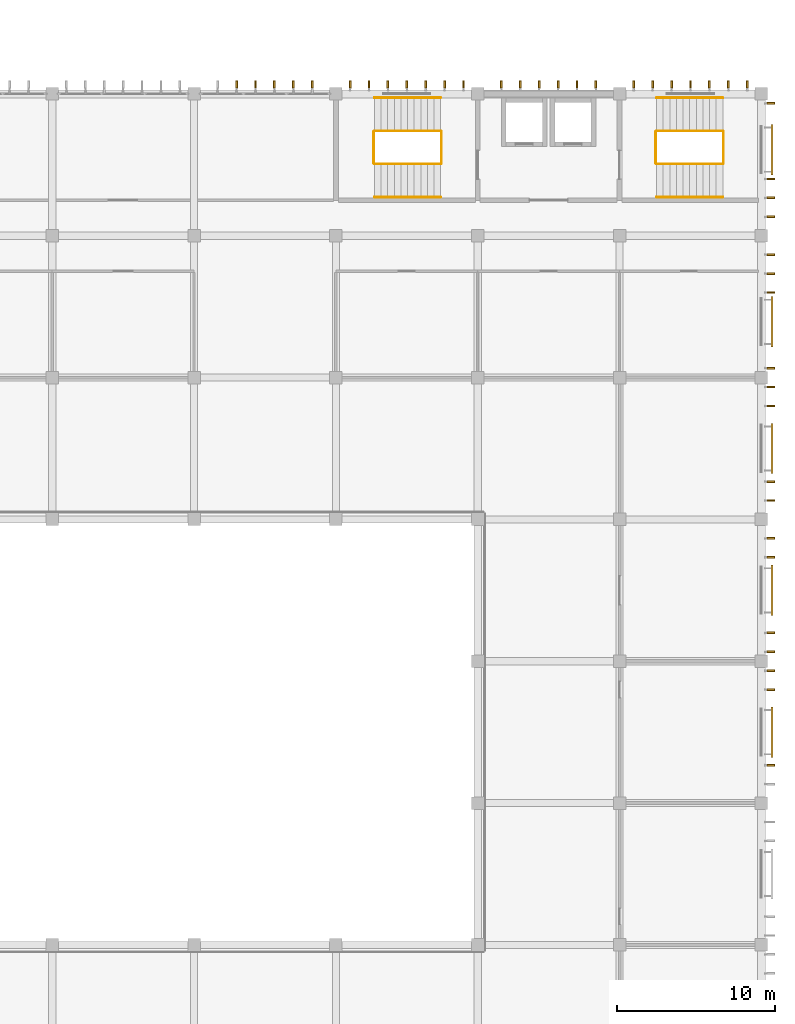
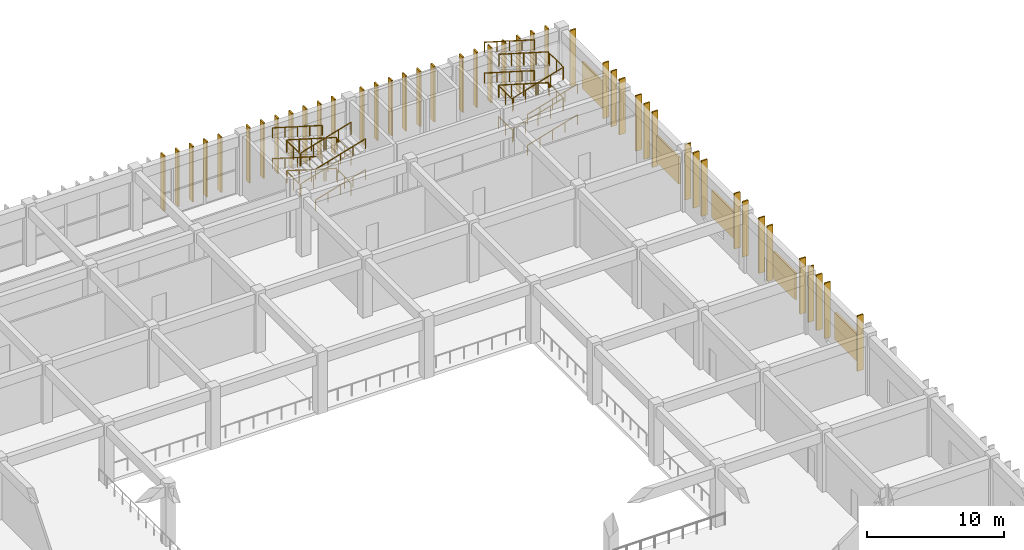
# One storey, part 433 of 437: 44 coverings, 24 railings, 5 shading devices.
"""IFC4 building model written with IfcOpenShell, lengths in metres."""

from ifc_helpers import new_model, si_unit, direction, frame, origin, origin_2d, place, context, subcontext, project, spatial, rectangle, circle, extrude, material, layer, layer_set, constituent, constituent_set, type_object, element, save


model = new_model("IFC4")

# Units and contexts
model_context = context("Model", 3, precision=1e-05, world=origin(), true_north=direction((0.0, 1.0)))
body_context = subcontext(model_context, "Body", "Model", "MODEL_VIEW")
ifc_project = project(units=[si_unit("LENGTHUNIT", "METRE"), si_unit("AREAUNIT", "SQUARE_METRE"), si_unit("VOLUMEUNIT", "CUBIC_METRE"), si_unit("PLANEANGLEUNIT", "RADIAN"), si_unit("MASSUNIT", "GRAM", prefix="KILO")], contexts=[model_context])

# Site, building, storey
site_placement = place(None, origin())
site = spatial("IfcSite", under=ifc_project, at=site_placement, CompositionType="ELEMENT")
building_placement = place(site_placement, origin())
building = spatial("IfcBuilding", under=site, at=building_placement, Name="Opaline Strait Convention Centre", CompositionType="ELEMENT")
storey_placement = place(building_placement, frame((0.0, 0.0, 11.5)))
storey = spatial("IfcBuildingStorey", under=building, at=storey_placement, Name="L02", CompositionType="ELEMENT", Elevation=11.5)

# Railings
ifc_material_1 = material(Name="Steel Q235B", Category="steel")
ifc_constituent_1 = constituent(ifc_material_1, Name="Frame")
ifc_material_2 = material(Name="Safety glass, bonded interlayer", Category="glass")
ifc_constituent_2 = constituent(ifc_material_2, Name="Infill")
ifc_constituent_set = constituent_set(constituents=[ifc_constituent_1, ifc_constituent_2], Name="Steel Q235B, Safety glass, bonded interlayer")
railing_type_1 = type_object("IfcRailingType", Name="Guard 1100 steel and glass", PredefinedType="GUARDRAIL", material=ifc_constituent_set)
railing_1_placement = place(storey_placement, frame((353.349853515625, 175.5498046875, 0.125)))
element("IfcRailing", 1, at=railing_1_placement, inside=storey, type_object=railing_type_1, Name="L02 S7 stair guard 1", PredefinedType="GUARDRAIL", context=body_context, shape_type="SweptSolid", body=[
    extrude(circle(Radius=0.02392578125, at=origin_2d()), frame((0.0, 0.0, 1.076171875), z_axis=(0.958451171748, 0.0, 0.285256641246), x_axis=(0.0, 1.0, 0.0)), (0.0, 0.0, 1.0), 4.382080078125),
    extrude(circle(Radius=0.02099609375, at=origin_2d()), origin(), (0.0, 0.0, 1.0), 1.052001953125),
    extrude(circle(Radius=0.02099609375, at=origin_2d()), frame((1.050048828125, 0.0, 0.3125)), (0.0, 0.0, 1.0), 1.052001953125),
    extrude(circle(Radius=0.02099609375, at=origin_2d()), frame((2.10009765625, 0.0, 0.625)), (0.0, 0.0, 1.0), 1.052001953125),
    extrude(circle(Radius=0.02099609375, at=origin_2d()), frame((3.14990234375, 0.0, 0.9375)), (0.0, 0.0, 1.0), 1.052001953125),
    extrude(circle(Radius=0.02099609375, at=origin_2d()), frame((4.199951171875, 0.0, 1.25)), (0.0, 0.0, 1.0), 1.052001953125),
])
railing_2_placement = place(storey_placement, frame((357.599853515625, 175.599853515625, 1.375)))
element("IfcRailing", 2, at=railing_2_placement, inside=storey, type_object=railing_type_1, Name="L02 S7 stair guard 2", PredefinedType="GUARDRAIL", context=body_context, shape_type="SweptSolid", body=[
    extrude(circle(Radius=0.02392578125, at=origin_2d()), frame((0.0, 0.0, 1.076171875), z_axis=(0.0, 1.0, 0.0), x_axis=(-1.0, 0.0, 0.0)), (0.0, 0.0, 1.0), 2.0),
    extrude(circle(Radius=0.02099609375, at=origin_2d()), origin(), (0.0, 0.0, 1.0), 1.052001953125),
    extrude(circle(Radius=0.02099609375, at=origin_2d()), frame((0.0, 1.0, 0.0)), (0.0, 0.0, 1.0), 1.052001953125),
    extrude(circle(Radius=0.02099609375, at=origin_2d()), frame((0.0, 2.0, 0.0)), (0.0, 0.0, 1.0), 1.052001953125),
])
railing_3_placement = place(storey_placement, frame((357.5498046875, 177.64990234375, 1.5)))
element("IfcRailing", 3, at=railing_3_placement, inside=storey, type_object=railing_type_1, Name="L02 S7 stair guard 3", PredefinedType="GUARDRAIL", context=body_context, shape_type="SweptSolid", body=[
    extrude(circle(Radius=0.02392578125, at=origin_2d()), frame((0.0, 0.0, 1.076171875), z_axis=(-0.958451171748, 0.0, 0.285256641246), x_axis=(0.0, -1.0, 0.0)), (0.0, 0.0, 1.0), 4.382080078125),
    extrude(circle(Radius=0.02099609375, at=origin_2d()), origin(), (0.0, 0.0, 1.0), 1.052001953125),
    extrude(circle(Radius=0.02099609375, at=origin_2d()), frame((-1.050048828125, 0.0, 0.3125)), (0.0, 0.0, 1.0), 1.052001953125),
    extrude(circle(Radius=0.02099609375, at=origin_2d()), frame((-2.10009765625, 0.0, 0.625)), (0.0, 0.0, 1.0), 1.052001953125),
    extrude(circle(Radius=0.02099609375, at=origin_2d()), frame((-3.14990234375, 0.0, 0.9375)), (0.0, 0.0, 1.0), 1.052001953125),
    extrude(circle(Radius=0.02099609375, at=origin_2d()), frame((-4.199951171875, 0.0, 1.25)), (0.0, 0.0, 1.0), 1.052001953125),
])
railing_4_placement = place(storey_placement, frame((353.2998046875, 175.599853515625, 2.75)))
element("IfcRailing", 4, at=railing_4_placement, inside=storey, type_object=railing_type_1, Name="L02 S7 stair guard 4", PredefinedType="GUARDRAIL", context=body_context, shape_type="SweptSolid", body=[
    extrude(circle(Radius=0.02392578125, at=origin_2d()), frame((0.0, 0.0, 1.076171875), z_axis=(0.0, 1.0, 0.0), x_axis=(-1.0, 0.0, 0.0)), (0.0, 0.0, 1.0), 2.0),
    extrude(circle(Radius=0.02099609375, at=origin_2d()), origin(), (0.0, 0.0, 1.0), 1.052001953125),
    extrude(circle(Radius=0.02099609375, at=origin_2d()), frame((0.0, 1.0, 0.0)), (0.0, 0.0, 1.0), 1.052001953125),
    extrude(circle(Radius=0.02099609375, at=origin_2d()), frame((0.0, 2.0, 0.0)), (0.0, 0.0, 1.0), 1.052001953125),
])
railing_5_placement = place(storey_placement, frame((353.349853515625, 175.5498046875, 2.875)))
element("IfcRailing", 5, at=railing_5_placement, inside=storey, type_object=railing_type_1, Name="L02 S7 stair guard 5", PredefinedType="GUARDRAIL", context=body_context, shape_type="SweptSolid", body=[
    extrude(circle(Radius=0.02392578125, at=origin_2d()), frame((0.0, 0.0, 1.076171875), z_axis=(0.958451171748, 0.0, 0.285256641246), x_axis=(0.0, 1.0, 0.0)), (0.0, 0.0, 1.0), 4.382080078125),
    extrude(circle(Radius=0.02099609375, at=origin_2d()), origin(), (0.0, 0.0, 1.0), 1.052001953125),
    extrude(circle(Radius=0.02099609375, at=origin_2d()), frame((1.050048828125, 0.0, 0.3125)), (0.0, 0.0, 1.0), 1.052001953125),
    extrude(circle(Radius=0.02099609375, at=origin_2d()), frame((2.10009765625, 0.0, 0.625)), (0.0, 0.0, 1.0), 1.052001953125),
    extrude(circle(Radius=0.02099609375, at=origin_2d()), frame((3.14990234375, 0.0, 0.9375)), (0.0, 0.0, 1.0), 1.052001953125),
    extrude(circle(Radius=0.02099609375, at=origin_2d()), frame((4.199951171875, 0.0, 1.25)), (0.0, 0.0, 1.0), 1.052001953125),
])
railing_6_placement = place(storey_placement, frame((357.599853515625, 175.599853515625, 4.125)))
element("IfcRailing", 6, at=railing_6_placement, inside=storey, type_object=railing_type_1, Name="L02 S7 stair guard 6", PredefinedType="GUARDRAIL", context=body_context, shape_type="SweptSolid", body=[
    extrude(circle(Radius=0.02392578125, at=origin_2d()), frame((0.0, 0.0, 1.076171875), z_axis=(0.0, 1.0, 0.0), x_axis=(-1.0, 0.0, 0.0)), (0.0, 0.0, 1.0), 2.0),
    extrude(circle(Radius=0.02099609375, at=origin_2d()), origin(), (0.0, 0.0, 1.0), 1.052001953125),
    extrude(circle(Radius=0.02099609375, at=origin_2d()), frame((0.0, 1.0, 0.0)), (0.0, 0.0, 1.0), 1.052001953125),
    extrude(circle(Radius=0.02099609375, at=origin_2d()), frame((0.0, 2.0, 0.0)), (0.0, 0.0, 1.0), 1.052001953125),
])
railing_7_placement = place(storey_placement, frame((357.5498046875, 177.64990234375, 4.25)))
element("IfcRailing", 7, at=railing_7_placement, inside=storey, type_object=railing_type_1, Name="L02 S7 stair guard 7", PredefinedType="GUARDRAIL", context=body_context, shape_type="SweptSolid", body=[
    extrude(circle(Radius=0.02392578125, at=origin_2d()), frame((0.0, 0.0, 1.076171875), z_axis=(-0.958451171748, 0.0, 0.285256641246), x_axis=(0.0, -1.0, 0.0)), (0.0, 0.0, 1.0), 4.382080078125),
    extrude(circle(Radius=0.02099609375, at=origin_2d()), origin(), (0.0, 0.0, 1.0), 1.052001953125),
    extrude(circle(Radius=0.02099609375, at=origin_2d()), frame((-1.050048828125, 0.0, 0.3125)), (0.0, 0.0, 1.0), 1.052001953125),
    extrude(circle(Radius=0.02099609375, at=origin_2d()), frame((-2.10009765625, 0.0, 0.625)), (0.0, 0.0, 1.0), 1.052001953125),
    extrude(circle(Radius=0.02099609375, at=origin_2d()), frame((-3.14990234375, 0.0, 0.9375)), (0.0, 0.0, 1.0), 1.052001953125),
    extrude(circle(Radius=0.02099609375, at=origin_2d()), frame((-4.199951171875, 0.0, 1.25)), (0.0, 0.0, 1.0), 1.052001953125),
])
railing_8_placement = place(storey_placement, frame((353.2998046875, 175.599853515625, 0.0)))
element("IfcRailing", 8, at=railing_8_placement, inside=storey, type_object=railing_type_1, Name="L02 S7 stair guard 8", PredefinedType="GUARDRAIL", context=body_context, shape_type="SweptSolid", body=[
    extrude(circle(Radius=0.02392578125, at=origin_2d()), frame((0.0, 0.0, 1.076171875), z_axis=(0.0, 1.0, 0.0), x_axis=(-1.0, 0.0, 0.0)), (0.0, 0.0, 1.0), 2.0),
    extrude(circle(Radius=0.02099609375, at=origin_2d()), origin(), (0.0, 0.0, 1.0), 1.052001953125),
    extrude(circle(Radius=0.02099609375, at=origin_2d()), frame((0.0, 1.0, 0.0)), (0.0, 0.0, 1.0), 1.052001953125),
    extrude(circle(Radius=0.02099609375, at=origin_2d()), frame((0.0, 2.0, 0.0)), (0.0, 0.0, 1.0), 1.052001953125),
])
railing_9_placement = place(storey_placement, frame((339.650146484375, 177.650146484375, 0.125)))
element("IfcRailing", 9, at=railing_9_placement, inside=storey, type_object=railing_type_1, Name="L02 S8 stair guard 1", PredefinedType="GUARDRAIL", context=body_context, shape_type="SweptSolid", body=[
    extrude(circle(Radius=0.02392578125, at=origin_2d()), frame((0.0, 0.0, 1.076171875), z_axis=(-0.958451171748, 0.0, 0.285256641246), x_axis=(0.0, -1.0, 0.0)), (0.0, 0.0, 1.0), 4.382080078125),
    extrude(circle(Radius=0.02099609375, at=origin_2d()), origin(), (0.0, 0.0, 1.0), 1.052001953125),
    extrude(circle(Radius=0.02099609375, at=origin_2d()), frame((-1.050048828125, 0.0, 0.3125)), (0.0, 0.0, 1.0), 1.052001953125),
    extrude(circle(Radius=0.02099609375, at=origin_2d()), frame((-2.10009765625, 0.0, 0.625)), (0.0, 0.0, 1.0), 1.052001953125),
    extrude(circle(Radius=0.02099609375, at=origin_2d()), frame((-3.14990234375, 0.0, 0.9375)), (0.0, 0.0, 1.0), 1.052001953125),
    extrude(circle(Radius=0.02099609375, at=origin_2d()), frame((-4.199951171875, 0.0, 1.25)), (0.0, 0.0, 1.0), 1.052001953125),
])
railing_10_placement = place(storey_placement, frame((335.400146484375, 177.60009765625, 1.375)))
element("IfcRailing", 10, at=railing_10_placement, inside=storey, type_object=railing_type_1, Name="L02 S8 stair guard 2", PredefinedType="GUARDRAIL", context=body_context, shape_type="SweptSolid", body=[
    extrude(circle(Radius=0.02392578125, at=origin_2d()), frame((0.0, 0.0, 1.076171875), z_axis=(0.0, -1.0, 0.0), x_axis=(1.0, 0.0, 0.0)), (0.0, 0.0, 1.0), 2.0),
    extrude(circle(Radius=0.02099609375, at=origin_2d()), origin(), (0.0, 0.0, 1.0), 1.052001953125),
    extrude(circle(Radius=0.02099609375, at=origin_2d()), frame((0.0, -1.0, 0.0)), (0.0, 0.0, 1.0), 1.052001953125),
    extrude(circle(Radius=0.02099609375, at=origin_2d()), frame((0.0, -2.0, 0.0)), (0.0, 0.0, 1.0), 1.052001953125),
])
railing_11_placement = place(storey_placement, frame((335.4501953125, 175.550048828125, 1.5)))
element("IfcRailing", 11, at=railing_11_placement, inside=storey, type_object=railing_type_1, Name="L02 S8 stair guard 3", PredefinedType="GUARDRAIL", context=body_context, shape_type="SweptSolid", body=[
    extrude(circle(Radius=0.02392578125, at=origin_2d()), frame((0.0, 0.0, 1.076171875), z_axis=(0.958451171748, 0.0, 0.285256641246), x_axis=(0.0, 1.0, 0.0)), (0.0, 0.0, 1.0), 4.382080078125),
    extrude(circle(Radius=0.02099609375, at=origin_2d()), origin(), (0.0, 0.0, 1.0), 1.052001953125),
    extrude(circle(Radius=0.02099609375, at=origin_2d()), frame((1.050048828125, 0.0, 0.3125)), (0.0, 0.0, 1.0), 1.052001953125),
    extrude(circle(Radius=0.02099609375, at=origin_2d()), frame((2.10009765625, 0.0, 0.625)), (0.0, 0.0, 1.0), 1.052001953125),
    extrude(circle(Radius=0.02099609375, at=origin_2d()), frame((3.14990234375, 0.0, 0.9375)), (0.0, 0.0, 1.0), 1.052001953125),
    extrude(circle(Radius=0.02099609375, at=origin_2d()), frame((4.199951171875, 0.0, 1.25)), (0.0, 0.0, 1.0), 1.052001953125),
])
railing_12_placement = place(storey_placement, frame((339.7001953125, 177.60009765625, 2.75)))
element("IfcRailing", 12, at=railing_12_placement, inside=storey, type_object=railing_type_1, Name="L02 S8 stair guard 4", PredefinedType="GUARDRAIL", context=body_context, shape_type="SweptSolid", body=[
    extrude(circle(Radius=0.02392578125, at=origin_2d()), frame((0.0, 0.0, 1.076171875), z_axis=(0.0, -1.0, 0.0), x_axis=(1.0, 0.0, 0.0)), (0.0, 0.0, 1.0), 2.0),
    extrude(circle(Radius=0.02099609375, at=origin_2d()), origin(), (0.0, 0.0, 1.0), 1.052001953125),
    extrude(circle(Radius=0.02099609375, at=origin_2d()), frame((0.0, -1.0, 0.0)), (0.0, 0.0, 1.0), 1.052001953125),
    extrude(circle(Radius=0.02099609375, at=origin_2d()), frame((0.0, -2.0, 0.0)), (0.0, 0.0, 1.0), 1.052001953125),
])
railing_13_placement = place(storey_placement, frame((339.650146484375, 177.650146484375, 2.875)))
element("IfcRailing", 13, at=railing_13_placement, inside=storey, type_object=railing_type_1, Name="L02 S8 stair guard 5", PredefinedType="GUARDRAIL", context=body_context, shape_type="SweptSolid", body=[
    extrude(circle(Radius=0.02392578125, at=origin_2d()), frame((0.0, 0.0, 1.076171875), z_axis=(-0.958451171748, 0.0, 0.285256641246), x_axis=(0.0, -1.0, 0.0)), (0.0, 0.0, 1.0), 4.382080078125),
    extrude(circle(Radius=0.02099609375, at=origin_2d()), origin(), (0.0, 0.0, 1.0), 1.052001953125),
    extrude(circle(Radius=0.02099609375, at=origin_2d()), frame((-1.050048828125, 0.0, 0.3125)), (0.0, 0.0, 1.0), 1.052001953125),
    extrude(circle(Radius=0.02099609375, at=origin_2d()), frame((-2.10009765625, 0.0, 0.625)), (0.0, 0.0, 1.0), 1.052001953125),
    extrude(circle(Radius=0.02099609375, at=origin_2d()), frame((-3.14990234375, 0.0, 0.9375)), (0.0, 0.0, 1.0), 1.052001953125),
    extrude(circle(Radius=0.02099609375, at=origin_2d()), frame((-4.199951171875, 0.0, 1.25)), (0.0, 0.0, 1.0), 1.052001953125),
])
railing_14_placement = place(storey_placement, frame((335.400146484375, 177.60009765625, 4.125)))
element("IfcRailing", 14, at=railing_14_placement, inside=storey, type_object=railing_type_1, Name="L02 S8 stair guard 6", PredefinedType="GUARDRAIL", context=body_context, shape_type="SweptSolid", body=[
    extrude(circle(Radius=0.02392578125, at=origin_2d()), frame((0.0, 0.0, 1.076171875), z_axis=(0.0, -1.0, 0.0), x_axis=(1.0, 0.0, 0.0)), (0.0, 0.0, 1.0), 2.0),
    extrude(circle(Radius=0.02099609375, at=origin_2d()), origin(), (0.0, 0.0, 1.0), 1.052001953125),
    extrude(circle(Radius=0.02099609375, at=origin_2d()), frame((0.0, -1.0, 0.0)), (0.0, 0.0, 1.0), 1.052001953125),
    extrude(circle(Radius=0.02099609375, at=origin_2d()), frame((0.0, -2.0, 0.0)), (0.0, 0.0, 1.0), 1.052001953125),
])
railing_15_placement = place(storey_placement, frame((335.4501953125, 175.550048828125, 4.25)))
element("IfcRailing", 15, at=railing_15_placement, inside=storey, type_object=railing_type_1, Name="L02 S8 stair guard 7", PredefinedType="GUARDRAIL", context=body_context, shape_type="SweptSolid", body=[
    extrude(circle(Radius=0.02392578125, at=origin_2d()), frame((0.0, 0.0, 1.076171875), z_axis=(0.958451171748, 0.0, 0.285256641246), x_axis=(0.0, 1.0, 0.0)), (0.0, 0.0, 1.0), 4.382080078125),
    extrude(circle(Radius=0.02099609375, at=origin_2d()), origin(), (0.0, 0.0, 1.0), 1.052001953125),
    extrude(circle(Radius=0.02099609375, at=origin_2d()), frame((1.050048828125, 0.0, 0.3125)), (0.0, 0.0, 1.0), 1.052001953125),
    extrude(circle(Radius=0.02099609375, at=origin_2d()), frame((2.10009765625, 0.0, 0.625)), (0.0, 0.0, 1.0), 1.052001953125),
    extrude(circle(Radius=0.02099609375, at=origin_2d()), frame((3.14990234375, 0.0, 0.9375)), (0.0, 0.0, 1.0), 1.052001953125),
    extrude(circle(Radius=0.02099609375, at=origin_2d()), frame((4.199951171875, 0.0, 1.25)), (0.0, 0.0, 1.0), 1.052001953125),
])
railing_16_placement = place(storey_placement, frame((339.7001953125, 177.60009765625, 0.0)))
element("IfcRailing", 16, at=railing_16_placement, inside=storey, type_object=railing_type_1, Name="L02 S8 stair guard 8", PredefinedType="GUARDRAIL", context=body_context, shape_type="SweptSolid", body=[
    extrude(circle(Radius=0.02392578125, at=origin_2d()), frame((0.0, 0.0, 1.076171875), z_axis=(0.0, -1.0, 0.0), x_axis=(1.0, 0.0, 0.0)), (0.0, 0.0, 1.0), 2.0),
    extrude(circle(Radius=0.02099609375, at=origin_2d()), origin(), (0.0, 0.0, 1.0), 1.052001953125),
    extrude(circle(Radius=0.02099609375, at=origin_2d()), frame((0.0, -1.0, 0.0)), (0.0, 0.0, 1.0), 1.052001953125),
    extrude(circle(Radius=0.02099609375, at=origin_2d()), frame((0.0, -2.0, 0.0)), (0.0, 0.0, 1.0), 1.052001953125),
])
ifc_material_3 = material(Name="Stainless steel 304", Category="steel")
railing_type_2 = type_object("IfcRailingType", Name="Stair handrail 900 stainless steel", PredefinedType="HANDRAIL", material=ifc_material_3)
railing_17_placement = place(storey_placement, frame((353.349853515625, 173.449951171875, 0.125)))
element("IfcRailing", 17, at=railing_17_placement, inside=storey, type_object=railing_type_2, Name="L02 S7 stair handrail 1", PredefinedType="HANDRAIL", context=body_context, shape_type="SweptSolid", body=[
    extrude(circle(Radius=0.02392578125, at=origin_2d()), frame((0.0, 0.0, 0.8759765625), z_axis=(0.958451171748, 0.0, 0.285256641246), x_axis=(0.0, 1.0, 0.0)), (0.0, 0.0, 1.0), 4.382080078125),
    extrude(circle(Radius=0.02099609375, at=origin_2d()), origin(), (0.0, 0.0, 1.0), 0.851806640625),
    extrude(circle(Radius=0.02099609375, at=origin_2d()), frame((1.050048828125, 0.0, 0.3125)), (0.0, 0.0, 1.0), 0.851806640625),
    extrude(circle(Radius=0.02099609375, at=origin_2d()), frame((2.10009765625, 0.0, 0.625)), (0.0, 0.0, 1.0), 0.851806640625),
    extrude(circle(Radius=0.02099609375, at=origin_2d()), frame((3.14990234375, 0.0, 0.9375)), (0.0, 0.0, 1.0), 0.851806640625),
    extrude(circle(Radius=0.02099609375, at=origin_2d()), frame((4.199951171875, 0.0, 1.25)), (0.0, 0.0, 1.0), 0.851806640625),
])
railing_18_placement = place(storey_placement, frame((357.5498046875, 179.75, 1.5)))
element("IfcRailing", 18, at=railing_18_placement, inside=storey, type_object=railing_type_2, Name="L02 S7 stair handrail 2", PredefinedType="HANDRAIL", context=body_context, shape_type="SweptSolid", body=[
    extrude(circle(Radius=0.02392578125, at=origin_2d()), frame((0.0, 0.0, 0.8759765625), z_axis=(-0.958451171748, 0.0, 0.285256641246), x_axis=(0.0, -1.0, 0.0)), (0.0, 0.0, 1.0), 4.382080078125),
    extrude(circle(Radius=0.02099609375, at=origin_2d()), origin(), (0.0, 0.0, 1.0), 0.851806640625),
    extrude(circle(Radius=0.02099609375, at=origin_2d()), frame((-1.050048828125, 0.0, 0.3125)), (0.0, 0.0, 1.0), 0.851806640625),
    extrude(circle(Radius=0.02099609375, at=origin_2d()), frame((-2.10009765625, 0.0, 0.625)), (0.0, 0.0, 1.0), 0.851806640625),
    extrude(circle(Radius=0.02099609375, at=origin_2d()), frame((-3.14990234375, 0.0, 0.9375)), (0.0, 0.0, 1.0), 0.851806640625),
    extrude(circle(Radius=0.02099609375, at=origin_2d()), frame((-4.199951171875, 0.0, 1.25)), (0.0, 0.0, 1.0), 0.851806640625),
])
railing_19_placement = place(storey_placement, frame((353.349853515625, 173.449951171875, 2.875)))
element("IfcRailing", 19, at=railing_19_placement, inside=storey, type_object=railing_type_2, Name="L02 S7 stair handrail 3", PredefinedType="HANDRAIL", context=body_context, shape_type="SweptSolid", body=[
    extrude(circle(Radius=0.02392578125, at=origin_2d()), frame((0.0, 0.0, 0.8759765625), z_axis=(0.958451171748, 0.0, 0.285256641246), x_axis=(0.0, 1.0, 0.0)), (0.0, 0.0, 1.0), 4.382080078125),
    extrude(circle(Radius=0.02099609375, at=origin_2d()), origin(), (0.0, 0.0, 1.0), 0.851806640625),
    extrude(circle(Radius=0.02099609375, at=origin_2d()), frame((1.050048828125, 0.0, 0.3125)), (0.0, 0.0, 1.0), 0.851806640625),
    extrude(circle(Radius=0.02099609375, at=origin_2d()), frame((2.10009765625, 0.0, 0.625)), (0.0, 0.0, 1.0), 0.851806640625),
    extrude(circle(Radius=0.02099609375, at=origin_2d()), frame((3.14990234375, 0.0, 0.9375)), (0.0, 0.0, 1.0), 0.851806640625),
    extrude(circle(Radius=0.02099609375, at=origin_2d()), frame((4.199951171875, 0.0, 1.25)), (0.0, 0.0, 1.0), 0.851806640625),
])
for number, where, name in (
    (20, (357.5498046875, 179.75, 4.25), "L02 S7 stair handrail 4"),
    (21, (339.650146484375, 179.75, 0.125), "L02 S8 stair handrail 1"),
):
    element("IfcRailing", number, at=place(storey_placement, frame(where)), inside=storey, type_object=railing_type_2, Name=name, PredefinedType="HANDRAIL", context=body_context, shape_type="SweptSolid", body=[
        extrude(circle(Radius=0.02392578125, at=origin_2d()), frame((0.0, 0.0, 0.8759765625), z_axis=(-0.958451171748, 0.0, 0.285256641246), x_axis=(0.0, -1.0, 0.0)), (0.0, 0.0, 1.0), 4.382080078125),
        extrude(circle(Radius=0.02099609375, at=origin_2d()), origin(), (0.0, 0.0, 1.0), 0.851806640625),
        extrude(circle(Radius=0.02099609375, at=origin_2d()), frame((-1.050048828125, 0.0, 0.3125)), (0.0, 0.0, 1.0), 0.851806640625),
        extrude(circle(Radius=0.02099609375, at=origin_2d()), frame((-2.10009765625, 0.0, 0.625)), (0.0, 0.0, 1.0), 0.851806640625),
        extrude(circle(Radius=0.02099609375, at=origin_2d()), frame((-3.14990234375, 0.0, 0.9375)), (0.0, 0.0, 1.0), 0.851806640625),
        extrude(circle(Radius=0.02099609375, at=origin_2d()), frame((-4.199951171875, 0.0, 1.25)), (0.0, 0.0, 1.0), 0.851806640625),
    ])
railing_20_placement = place(storey_placement, frame((335.4501953125, 173.449951171875, 1.5)))
element("IfcRailing", 22, at=railing_20_placement, inside=storey, type_object=railing_type_2, Name="L02 S8 stair handrail 2", PredefinedType="HANDRAIL", context=body_context, shape_type="SweptSolid", body=[
    extrude(circle(Radius=0.02392578125, at=origin_2d()), frame((0.0, 0.0, 0.8759765625), z_axis=(0.958451171748, 0.0, 0.285256641246), x_axis=(0.0, 1.0, 0.0)), (0.0, 0.0, 1.0), 4.382080078125),
    extrude(circle(Radius=0.02099609375, at=origin_2d()), origin(), (0.0, 0.0, 1.0), 0.851806640625),
    extrude(circle(Radius=0.02099609375, at=origin_2d()), frame((1.050048828125, 0.0, 0.3125)), (0.0, 0.0, 1.0), 0.851806640625),
    extrude(circle(Radius=0.02099609375, at=origin_2d()), frame((2.10009765625, 0.0, 0.625)), (0.0, 0.0, 1.0), 0.851806640625),
    extrude(circle(Radius=0.02099609375, at=origin_2d()), frame((3.14990234375, 0.0, 0.9375)), (0.0, 0.0, 1.0), 0.851806640625),
    extrude(circle(Radius=0.02099609375, at=origin_2d()), frame((4.199951171875, 0.0, 1.25)), (0.0, 0.0, 1.0), 0.851806640625),
])
railing_21_placement = place(storey_placement, frame((339.650146484375, 179.75, 2.875)))
element("IfcRailing", 23, at=railing_21_placement, inside=storey, type_object=railing_type_2, Name="L02 S8 stair handrail 3", PredefinedType="HANDRAIL", context=body_context, shape_type="SweptSolid", body=[
    extrude(circle(Radius=0.02392578125, at=origin_2d()), frame((0.0, 0.0, 0.8759765625), z_axis=(-0.958451171748, 0.0, 0.285256641246), x_axis=(0.0, -1.0, 0.0)), (0.0, 0.0, 1.0), 4.382080078125),
    extrude(circle(Radius=0.02099609375, at=origin_2d()), origin(), (0.0, 0.0, 1.0), 0.851806640625),
    extrude(circle(Radius=0.02099609375, at=origin_2d()), frame((-1.050048828125, 0.0, 0.3125)), (0.0, 0.0, 1.0), 0.851806640625),
    extrude(circle(Radius=0.02099609375, at=origin_2d()), frame((-2.10009765625, 0.0, 0.625)), (0.0, 0.0, 1.0), 0.851806640625),
    extrude(circle(Radius=0.02099609375, at=origin_2d()), frame((-3.14990234375, 0.0, 0.9375)), (0.0, 0.0, 1.0), 0.851806640625),
    extrude(circle(Radius=0.02099609375, at=origin_2d()), frame((-4.199951171875, 0.0, 1.25)), (0.0, 0.0, 1.0), 0.851806640625),
])
railing_22_placement = place(storey_placement, frame((335.4501953125, 173.449951171875, 4.25)))
element("IfcRailing", 24, at=railing_22_placement, inside=storey, type_object=railing_type_2, Name="L02 S8 stair handrail 4", PredefinedType="HANDRAIL", context=body_context, shape_type="SweptSolid", body=[
    extrude(circle(Radius=0.02392578125, at=origin_2d()), frame((0.0, 0.0, 0.8759765625), z_axis=(0.958451171748, 0.0, 0.285256641246), x_axis=(0.0, 1.0, 0.0)), (0.0, 0.0, 1.0), 4.382080078125),
    extrude(circle(Radius=0.02099609375, at=origin_2d()), origin(), (0.0, 0.0, 1.0), 0.851806640625),
    extrude(circle(Radius=0.02099609375, at=origin_2d()), frame((1.050048828125, 0.0, 0.3125)), (0.0, 0.0, 1.0), 0.851806640625),
    extrude(circle(Radius=0.02099609375, at=origin_2d()), frame((2.10009765625, 0.0, 0.625)), (0.0, 0.0, 1.0), 0.851806640625),
    extrude(circle(Radius=0.02099609375, at=origin_2d()), frame((3.14990234375, 0.0, 0.9375)), (0.0, 0.0, 1.0), 0.851806640625),
    extrude(circle(Radius=0.02099609375, at=origin_2d()), frame((4.199951171875, 0.0, 1.25)), (0.0, 0.0, 1.0), 0.851806640625),
])

# Shading devices
ifc_material_4 = material(Name="Aluminium alloy 6063-T5", Category="aluminium")
ifc_layer_1 = layer(ifc_material_4, 0.14990234375)
ifc_layer_set_1 = layer_set([ifc_layer_1], Name="Aluminium alloy 6063-T5")
shading_device_type = type_object("IfcShadingDeviceType", Name="Storm louvre 3200 x 2400 aluminium", PredefinedType="JALOUSIE", material=ifc_layer_set_1)
for number, where, z_axis, x_axis, name in (
    (25, (360.675048828125, 139.5, 0.75), (0.0, 0.0, 1.0), (1.0, 0.0, 0.0), "Storm louvre L02"),
    (26, (360.675048828125, 148.5, 0.75), (0.0, 0.0, 1.0), (1.0, 0.0, 0.0), "Storm louvre L02"),
    (27, (360.675048828125, 157.5, 0.75), (0.0, 0.0, 1.0), (1.0, 0.0, 0.0), "Storm louvre L02"),
    (28, (360.675048828125, 165.53759765625, 0.75), (0.0, 0.0, 1.0), (1.0, 0.0, 0.0), "Storm louvre L02"),
    (29, (360.675048828125, 176.46240234375, 0.75), (0.0, 0.0, 1.0), (1.0, 0.0, 0.0), "Storm louvre L02"),
):
    element("IfcShadingDevice", number, at=place(storey_placement, frame(where, z_axis=z_axis, x_axis=x_axis)), inside=storey, type_object=shading_device_type, Name=name, PredefinedType="JALOUSIE", context=body_context, shape_type="SweptSolid", body=[
        extrude(rectangle(XDim=0.14990234375, YDim=3.199951171875, at=origin_2d()), origin(), (0.0, 0.0, 1.0), 2.39990234375),
    ])

# Coverings
ifc_layer_2 = layer(ifc_material_4, 0.1201171875)
ifc_layer_set_2 = layer_set([ifc_layer_2], Name="Aluminium alloy 6063-T5")
covering_type = type_object("IfcCoveringType", Name="Storm louvre fin 120 x 500 aluminium", PredefinedType="CLADDING", material=ifc_layer_set_2)
for number, where, z_axis, x_axis, name in (
    (30, (326.699951171875, 180.60009765625, 0.25), (0.0, 0.0, 1.0), (1.0, 0.0, 0.0), "Storm louvre fin N L02"),
    (31, (327.89990234375, 180.60009765625, 0.25), (0.0, 0.0, 1.0), (1.0, 0.0, 0.0), "Storm louvre fin N L02"),
    (32, (329.10009765625, 180.60009765625, 0.25), (0.0, 0.0, 1.0), (1.0, 0.0, 0.0), "Storm louvre fin N L02"),
    (33, (330.300048828125, 180.60009765625, 0.25), (0.0, 0.0, 1.0), (1.0, 0.0, 0.0), "Storm louvre fin N L02"),
    (34, (331.5, 180.60009765625, 0.25), (0.0, 0.0, 1.0), (1.0, 0.0, 0.0), "Storm louvre fin N L02"),
    (35, (333.89990234375, 180.60009765625, 0.25), (0.0, 0.0, 1.0), (1.0, 0.0, 0.0), "Storm louvre fin N L02"),
    (36, (335.10009765625, 180.60009765625, 0.25), (0.0, 0.0, 1.0), (1.0, 0.0, 0.0), "Storm louvre fin N L02"),
    (37, (336.300048828125, 180.60009765625, 0.25), (0.0, 0.0, 1.0), (1.0, 0.0, 0.0), "Storm louvre fin N L02"),
    (38, (337.5, 180.60009765625, 0.25), (0.0, 0.0, 1.0), (1.0, 0.0, 0.0), "Storm louvre fin N L02"),
    (39, (338.699951171875, 180.60009765625, 0.25), (0.0, 0.0, 1.0), (1.0, 0.0, 0.0), "Storm louvre fin N L02"),
    (40, (339.89990234375, 180.60009765625, 0.25), (0.0, 0.0, 1.0), (1.0, 0.0, 0.0), "Storm louvre fin N L02"),
    (41, (341.10009765625, 180.60009765625, 0.25), (0.0, 0.0, 1.0), (1.0, 0.0, 0.0), "Storm louvre fin N L02"),
    (42, (343.5, 180.60009765625, 0.25), (0.0, 0.0, 1.0), (1.0, 0.0, 0.0), "Storm louvre fin N L02"),
    (43, (344.699951171875, 180.60009765625, 0.25), (0.0, 0.0, 1.0), (1.0, 0.0, 0.0), "Storm louvre fin N L02"),
    (44, (345.89990234375, 180.60009765625, 0.25), (0.0, 0.0, 1.0), (1.0, 0.0, 0.0), "Storm louvre fin N L02"),
    (45, (347.10009765625, 180.60009765625, 0.25), (0.0, 0.0, 1.0), (1.0, 0.0, 0.0), "Storm louvre fin N L02"),
    (46, (348.300048828125, 180.60009765625, 0.25), (0.0, 0.0, 1.0), (1.0, 0.0, 0.0), "Storm louvre fin N L02"),
    (47, (349.5, 180.60009765625, 0.25), (0.0, 0.0, 1.0), (1.0, 0.0, 0.0), "Storm louvre fin N L02"),
    (48, (351.89990234375, 180.60009765625, 0.25), (0.0, 0.0, 1.0), (1.0, 0.0, 0.0), "Storm louvre fin N L02"),
    (49, (353.10009765625, 180.60009765625, 0.25), (0.0, 0.0, 1.0), (1.0, 0.0, 0.0), "Storm louvre fin N L02"),
    (50, (354.300048828125, 180.60009765625, 0.25), (0.0, 0.0, 1.0), (1.0, 0.0, 0.0), "Storm louvre fin N L02"),
    (51, (355.5, 180.60009765625, 0.25), (0.0, 0.0, 1.0), (1.0, 0.0, 0.0), "Storm louvre fin N L02"),
    (52, (356.699951171875, 180.60009765625, 0.25), (0.0, 0.0, 1.0), (1.0, 0.0, 0.0), "Storm louvre fin N L02"),
    (53, (357.89990234375, 180.60009765625, 0.25), (0.0, 0.0, 1.0), (1.0, 0.0, 0.0), "Storm louvre fin N L02"),
    (54, (359.10009765625, 180.60009765625, 0.25), (0.0, 0.0, 1.0), (1.0, 0.0, 0.0), "Storm louvre fin N L02"),
):
    element("IfcCovering", number, at=place(storey_placement, frame(where, z_axis=z_axis, x_axis=x_axis)), inside=storey, type_object=covering_type, Name=name, PredefinedType="CLADDING", context=body_context, shape_type="SweptSolid", body=[
        extrude(rectangle(XDim=0.1201171875, YDim=0.5, at=origin_2d()), origin(), (0.0, 0.0, 1.0), 4.949951171875),
    ])
for number, where, z_axis, x_axis, name in (
    (55, (360.60009765625, 137.39990234375, 0.25), (0.0, 0.0, 1.0), (1.0, 0.0, 0.0), "Storm louvre fin E L02"),
    (56, (360.60009765625, 142.199951171875, 0.25), (0.0, 0.0, 1.0), (1.0, 0.0, 0.0), "Storm louvre fin E L02"),
    (57, (360.60009765625, 143.39990234375, 0.25), (0.0, 0.0, 1.0), (1.0, 0.0, 0.0), "Storm louvre fin E L02"),
    (58, (360.60009765625, 144.60009765625, 0.25), (0.0, 0.0, 1.0), (1.0, 0.0, 0.0), "Storm louvre fin E L02"),
    (59, (360.60009765625, 145.800048828125, 0.25), (0.0, 0.0, 1.0), (1.0, 0.0, 0.0), "Storm louvre fin E L02"),
    (60, (360.60009765625, 150.60009765625, 0.25), (0.0, 0.0, 1.0), (1.0, 0.0, 0.0), "Storm louvre fin E L02"),
    (61, (360.60009765625, 151.800048828125, 0.25), (0.0, 0.0, 1.0), (1.0, 0.0, 0.0), "Storm louvre fin E L02"),
    (62, (360.60009765625, 154.199951171875, 0.25), (0.0, 0.0, 1.0), (1.0, 0.0, 0.0), "Storm louvre fin E L02"),
    (63, (360.60009765625, 155.39990234375, 0.25), (0.0, 0.0, 1.0), (1.0, 0.0, 0.0), "Storm louvre fin E L02"),
    (64, (360.60009765625, 160.199951171875, 0.25), (0.0, 0.0, 1.0), (1.0, 0.0, 0.0), "Storm louvre fin E L02"),
    (65, (360.60009765625, 161.39990234375, 0.25), (0.0, 0.0, 1.0), (1.0, 0.0, 0.0), "Storm louvre fin E L02"),
    (66, (360.60009765625, 162.60009765625, 0.25), (0.0, 0.0, 1.0), (1.0, 0.0, 0.0), "Storm louvre fin E L02"),
    (67, (360.60009765625, 167.39990234375, 0.25), (0.0, 0.0, 1.0), (1.0, 0.0, 0.0), "Storm louvre fin E L02"),
    (68, (360.60009765625, 168.60009765625, 0.25), (0.0, 0.0, 1.0), (1.0, 0.0, 0.0), "Storm louvre fin E L02"),
    (69, (360.60009765625, 169.800048828125, 0.25), (0.0, 0.0, 1.0), (1.0, 0.0, 0.0), "Storm louvre fin E L02"),
    (70, (360.60009765625, 172.199951171875, 0.25), (0.0, 0.0, 1.0), (1.0, 0.0, 0.0), "Storm louvre fin E L02"),
    (71, (360.60009765625, 173.39990234375, 0.25), (0.0, 0.0, 1.0), (1.0, 0.0, 0.0), "Storm louvre fin E L02"),
    (72, (360.60009765625, 174.60009765625, 0.25), (0.0, 0.0, 1.0), (1.0, 0.0, 0.0), "Storm louvre fin E L02"),
    (73, (360.60009765625, 179.39990234375, 0.25), (0.0, 0.0, 1.0), (1.0, 0.0, 0.0), "Storm louvre fin E L02"),
):
    element("IfcCovering", number, at=place(storey_placement, frame(where, z_axis=z_axis, x_axis=x_axis)), inside=storey, type_object=covering_type, Name=name, PredefinedType="CLADDING", context=body_context, shape_type="SweptSolid", body=[
        extrude(rectangle(XDim=0.5, YDim=0.1201171875, at=origin_2d()), origin(), (0.0, 0.0, 1.0), 4.949951171875),
    ])

save(model, "model.ifc")
